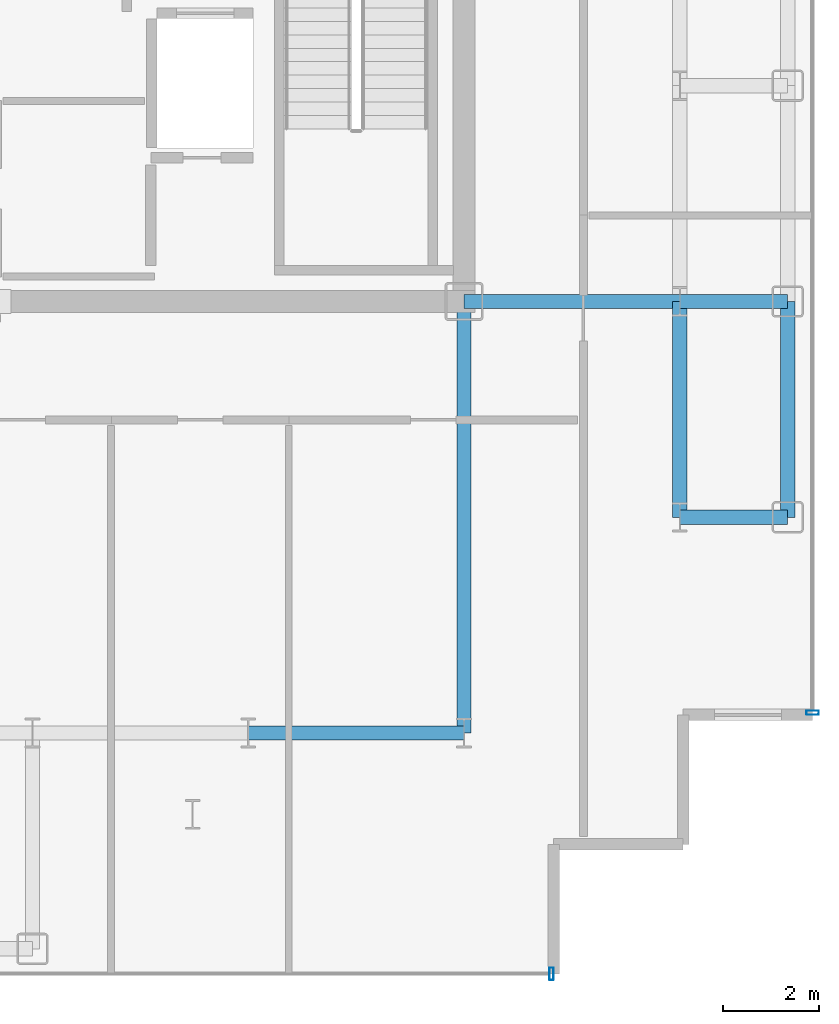
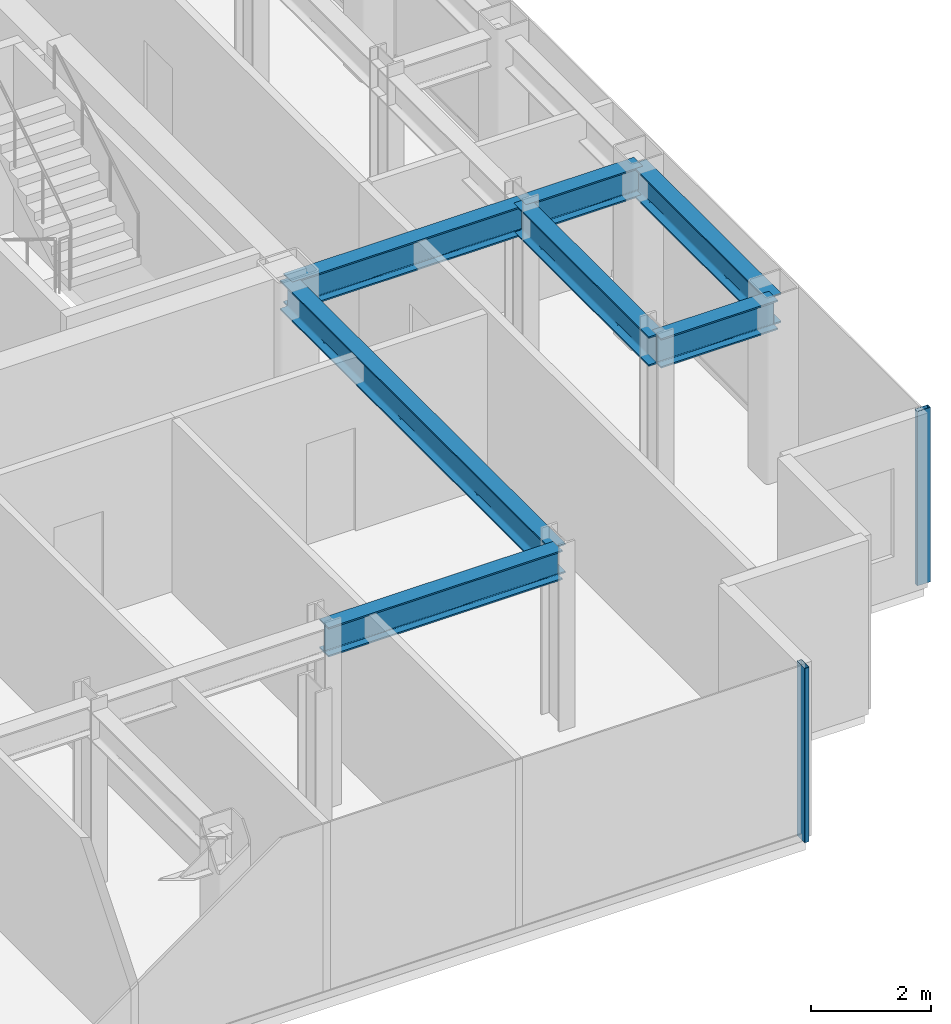
# One storey, part 6 of 18: 7 beams, 2 members, 2 elements without a shape of their own.
"""IFC4 building model written with IfcOpenShell, lengths in metres."""

from ifc_helpers import new_model, si_unit, direction, frame, origin, origin_2d, place, context, subcontext, project, spatial, hollow_rectangle, i_section, extrude, source, transform, mapped, material, layer, layer_set, material_profile, profile_set, type_object, element, aggregate, save


model = new_model("IFC4")

# Units and contexts
model_context = context("Model", 3, precision=1e-05, world=origin(), true_north=direction((0.0, 1.0)))
body_context = subcontext(model_context, "Body", "Model", "MODEL_VIEW")
ifc_project = project(units=[si_unit("LENGTHUNIT", "METRE"), si_unit("AREAUNIT", "SQUARE_METRE"), si_unit("VOLUMEUNIT", "CUBIC_METRE"), si_unit("PLANEANGLEUNIT", "RADIAN"), si_unit("MASSUNIT", "GRAM", prefix="KILO")], contexts=[model_context])

# Site, building, storey
site_placement = place(None, origin())
site = spatial("IfcSite", under=ifc_project, at=site_placement, CompositionType="ELEMENT")
building_placement = place(site_placement, origin())
building = spatial("IfcBuilding", under=site, at=building_placement, Name="Nefas-Gora Pilgrimage Tower", CompositionType="ELEMENT")
storey_placement = place(building_placement, frame((0.0, 0.0, 283.60009765625)))
storey = spatial("IfcBuildingStorey", under=building, at=storey_placement, Name="L71", CompositionType="ELEMENT", Elevation=283.60009765625)

# Beams
ifc_material_1 = material(Name="Steel S355", Category="steel")
ifc_material_profile_1 = material_profile(ifc_material_1, i_section(OverallWidth=0.300048828125, OverallDepth=0.60009765625, WebThickness=0.015380859375, FlangeThickness=0.030029296875, FilletRadius=0.027099609375, at=origin_2d()), Name="HEB 600")
ifc_profile_set_1 = profile_set([ifc_material_profile_1], Name="Steel S355")
beam_type_1 = type_object("IfcBeamType", Name="BM-SPN-HEB450", PredefinedType="SPANDREL", material=ifc_profile_set_1)
shared_shape_1 = source(origin(), body_context, "Body", "SweptSolid", [
    extrude(i_section(OverallWidth=0.300048828125, OverallDepth=0.60009765625, WebThickness=0.015380859375, FlangeThickness=0.030029296875, FilletRadius=0.027099609375, at=origin_2d()), origin(), (0.0, 0.0, 1.0), 4.5),
])
beam_1_placement = place(storey_placement, frame((18.0, -13.5, 3.25), z_axis=(0.0, 1.0, 0.0), x_axis=(-1.0, 0.0, 0.0)))
element("IfcBeam", 1, at=beam_1_placement, inside=storey, type_object=beam_type_1, Name="L71 SP-03 beam", PredefinedType="SPANDREL", context=body_context, shape_type="MappedRepresentation", body=[
    mapped(shared_shape_1, transform((0.0, 0.0, 0.0), x_axis=(1.0, 0.0, 0.0), y_axis=(0.0, 1.0, 0.0), z_axis=(0.0, 0.0, 1.0), scale=1.0)),
])
ifc_material_profile_2 = material_profile(ifc_material_1, i_section(OverallWidth=0.300048828125, OverallDepth=0.60009765625, WebThickness=0.015380859375, FlangeThickness=0.030029296875, FilletRadius=0.027099609375, at=origin_2d()), Name="HEB 600")
ifc_profile_set_2 = profile_set([ifc_material_profile_2], Name="Steel S355")
beam_type_2 = type_object("IfcBeamType", Name="BM-GIR-HEB600", PredefinedType="BEAM", material=ifc_profile_set_2)
shared_shape_2 = source(origin(), body_context, "Body", "SweptSolid", [
    extrude(i_section(OverallWidth=0.300048828125, OverallDepth=0.60009765625, WebThickness=0.015380859375, FlangeThickness=0.030029296875, FilletRadius=0.027099609375, at=origin_2d()), origin(), (0.0, 0.0, 1.0), 9.0),
])
beam_2_placement = place(storey_placement, frame((11.25, -18.0, 3.25), z_axis=(0.0, 1.0, 0.0), x_axis=(-1.0, 0.0, 0.0)))
element("IfcBeam", 2, at=beam_2_placement, inside=storey, type_object=beam_type_2, Name="L71 G-04 beam", PredefinedType="BEAM", context=body_context, shape_type="MappedRepresentation", body=[
    mapped(shared_shape_2, transform((0.0, 0.0, 0.0), x_axis=(1.0, 0.0, 0.0), y_axis=(0.0, 1.0, 0.0), z_axis=(0.0, 0.0, 1.0), scale=1.0)),
])
shared_shape_3 = source(origin(), body_context, "Body", "SweptSolid", [
    extrude(i_section(OverallWidth=0.300048828125, OverallDepth=0.60009765625, WebThickness=0.015380859375, FlangeThickness=0.030029296875, FilletRadius=0.027099609375, at=origin_2d()), origin(), (0.0, 0.0, 1.0), 4.5),
])
for number, where, z_axis, x_axis, name in (
    (3, (6.75, -18.0, 3.25), (1.0, 0.0, 0.0), (0.0, 1.0, 0.0), "L71 G-04 beam"),
    (4, (11.25, -9.0, 3.25), (1.0, 0.0, 0.0), (0.0, 1.0, 0.0), "L71 G-04 beam"),
    (5, (15.75, -13.5, 3.25), (0.0, 1.0, 0.0), (-1.0, 0.0, 0.0), "L71 G-04 beam"),
):
    element("IfcBeam", number, at=place(storey_placement, frame(where, z_axis=z_axis, x_axis=x_axis)), inside=storey, type_object=beam_type_2, Name=name, PredefinedType="BEAM", context=body_context, shape_type="MappedRepresentation", body=[
        mapped(shared_shape_3, transform((0.0, 0.0, 0.0), x_axis=(1.0, 0.0, 0.0), y_axis=(0.0, 1.0, 0.0), z_axis=(0.0, 0.0, 1.0), scale=1.0)),
    ])
shared_shape_4 = source(origin(), body_context, "Body", "SweptSolid", [
    extrude(i_section(OverallWidth=0.300048828125, OverallDepth=0.60009765625, WebThickness=0.015380859375, FlangeThickness=0.030029296875, FilletRadius=0.027099609375, at=origin_2d()), origin(), (0.0, 0.0, 1.0), 2.25),
])
for number, where, z_axis, x_axis, name in (
    (6, (15.75, -13.5, 3.25), (1.0, 0.0, 0.0), (0.0, 1.0, 0.0), "L71 G-04 beam"),
    (7, (15.75, -9.0, 3.25), (1.0, 0.0, 0.0), (0.0, 1.0, 0.0), "L71 G-04 beam"),
):
    element("IfcBeam", number, at=place(storey_placement, frame(where, z_axis=z_axis, x_axis=x_axis)), inside=storey, type_object=beam_type_2, Name=name, PredefinedType="BEAM", context=body_context, shape_type="MappedRepresentation", body=[
        mapped(shared_shape_4, transform((0.0, 0.0, 0.0), x_axis=(1.0, 0.0, 0.0), y_axis=(0.0, 1.0, 0.0), z_axis=(0.0, 0.0, 1.0), scale=1.0)),
    ])

# Curtain wall, member
ifc_material_2 = material(Name="Dark ceramic-fritted solar-control aluminium-glass curtain wall", Category="aluminium")
ifc_layer = layer(ifc_material_2, 0.219970703125)
ifc_layer_set = layer_set([ifc_layer], Name="Dark ceramic-fritted solar-control aluminium-glass curtain wall")
curtain_wall_type = type_object("IfcCurtainWallType", Name="CW-SYS-4", PredefinedType="NOTDEFINED", material=ifc_layer_set)
curtain_wall_1_placement = place(storey_placement, origin())
curtain_wall_1 = element("IfcCurtainWall", 8, at=curtain_wall_1_placement, inside=storey, type_object=curtain_wall_type, Name="L71 Unitised Curtain Wall CW4", PredefinedType="NOTDEFINED")
ifc_material_3 = material(Name="Anodised architectural aluminium", Category="aluminium")
ifc_material_profile_3 = material_profile(ifc_material_3, hollow_rectangle(XDim=0.090087890625, YDim=0.260009765625, WallThickness=0.006103515625, InnerFilletRadius=0.006103515625, OuterFilletRadius=0.011962890625, at=origin_2d()), Name="ALU MULLION 90x260")
ifc_profile_set_3 = profile_set([ifc_material_profile_3], Name="Anodised architectural aluminium")
member_type = type_object("IfcMemberType", Name="CWM-MUL-4", PredefinedType="MULLION", material=ifc_profile_set_3)
shared_shape_5 = source(origin(), body_context, "Body", "SweptSolid", [
    extrude(hollow_rectangle(XDim=0.090087890625, YDim=0.260009765625, WallThickness=0.006103515625, InnerFilletRadius=0.006103515625, OuterFilletRadius=0.011962890625, at=origin_2d()), origin(), (0.0, 0.0, 1.0), 3.5498046875),
])
member_1_placement = place(storey_placement, frame((18.52001953125, -17.574951171875, 0.0), z_axis=(0.0, 0.0, 1.0), x_axis=(0.0, 1.0, 0.0)))
member_1 = element("IfcMember", 9, at=member_1_placement, type_object=member_type, Name="CW4 Mullion 1", PredefinedType="MULLION", context=body_context, shape_type="MappedRepresentation", body=[
    mapped(shared_shape_5, transform((0.0, 0.0, 0.0), x_axis=(1.0, 0.0, 0.0), y_axis=(0.0, 1.0, 0.0), z_axis=(0.0, 0.0, 1.0), scale=1.0)),
])
aggregate(curtain_wall_1, [member_1])

curtain_wall_2_placement = place(storey_placement, origin())
curtain_wall_2 = element("IfcCurtainWall", 10, at=curtain_wall_2_placement, inside=storey, type_object=curtain_wall_type, Name="L71 Unitised Curtain Wall CW4", PredefinedType="NOTDEFINED")
member_2_placement = place(storey_placement, frame((13.074951171875, -23.02001953125, 0.0), z_axis=(0.0, 0.0, 1.0), x_axis=(1.0, 0.0, 0.0)))
member_2 = element("IfcMember", 11, at=member_2_placement, type_object=member_type, Name="CW4 Mullion 2", PredefinedType="MULLION", context=body_context, shape_type="MappedRepresentation", body=[
    mapped(shared_shape_5, transform((0.0, 0.0, 0.0), x_axis=(1.0, 0.0, 0.0), y_axis=(0.0, 1.0, 0.0), z_axis=(0.0, 0.0, 1.0), scale=1.0)),
])
aggregate(curtain_wall_2, [member_2])

save(model, "model.ifc")
